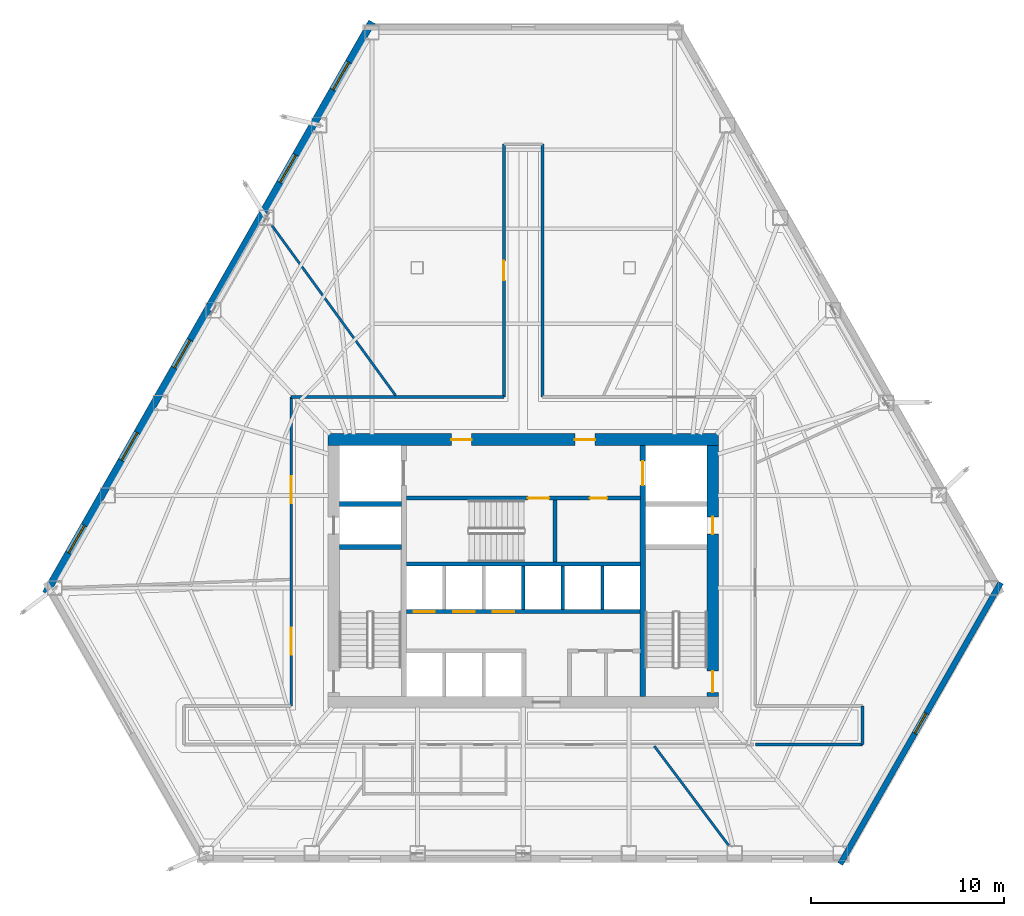
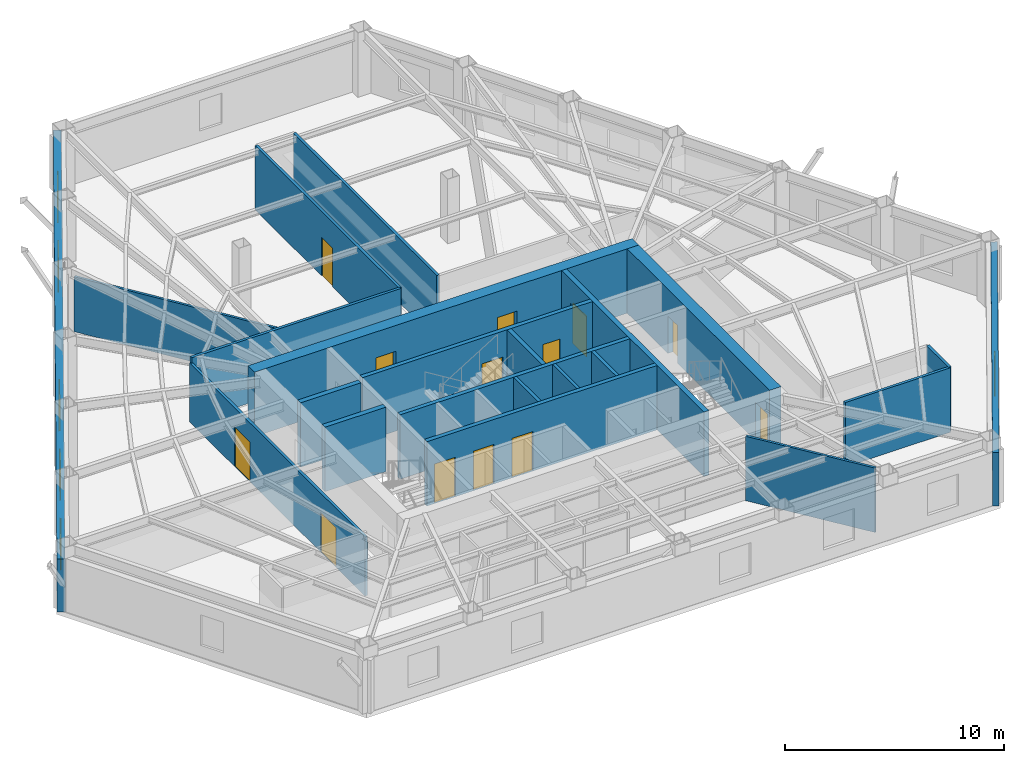
# One storey, part 9 of 12: 22 walls, 13 doors, 6 windows, 19 openings.
"""IFC4 building model written with IfcOpenShell, lengths in metres."""

from ifc_helpers import new_model, si_unit, direction, frame, frame_2d, origin, place, context, subcontext, project, spatial, rectangle, extrude, material, layer, layer_set, type_object, element, fill, save


model = new_model("IFC4")

# Units and contexts
model_context = context("Model", 3, precision=1e-05, world=origin(), true_north=direction((0.0, 1.0)))
body_context = subcontext(model_context, "Body", "Model", "MODEL_VIEW")
ifc_project = project(units=[si_unit("LENGTHUNIT", "METRE"), si_unit("AREAUNIT", "SQUARE_METRE"), si_unit("VOLUMEUNIT", "CUBIC_METRE"), si_unit("PLANEANGLEUNIT", "RADIAN"), si_unit("MASSUNIT", "GRAM", prefix="KILO")], contexts=[model_context])

# Site, building, storey
site_placement = place(None, origin())
site = spatial("IfcSite", under=ifc_project, at=site_placement, CompositionType="ELEMENT")
building_placement = place(site_placement, origin())
building = spatial("IfcBuilding", under=site, at=building_placement, Name="Kavelnor Concourse Tower", CompositionType="ELEMENT")
storey_placement = place(building_placement, frame((0.0, 0.0, 29.10009765625)))
storey = spatial("IfcBuildingStorey", under=building, at=storey_placement, Name="L07", CompositionType="ELEMENT", Elevation=29.10009765625)

# Wall, openings, doors
ifc_material_1 = material(Name="Concrete C60/75", Category="concrete")
ifc_layer_1 = layer(ifc_material_1, 0.60009765625, Name="Concrete C60/75")
ifc_layer_set_1 = layer_set([ifc_layer_1], Name="Concrete C60/75")
wall_type_1 = type_object("IfcWallType", Name="WL-CORE-Z1-600", PredefinedType="SOLIDWALL", material=ifc_layer_set_1)
wall_1_placement = place(storey_placement, frame((27.8798828125, 22.89990234375, 0.0), z_axis=(0.0, 0.0, 1.0), x_axis=(1.0, 0.0, 0.0)))
wall_1 = element("IfcWall", 1, at=wall_1_placement, inside=storey, type_object=wall_type_1, Name="L07 Central Core North Shear Wall", PredefinedType="SOLIDWALL", context=body_context, shape_type="SweptSolid", body=[
    extrude(rectangle(XDim=20.240234375, YDim=0.60009765625, at=frame_2d((10.1201171875, 0.0))), origin(), (0.0, 0.0, 1.0), 3.58984375),
])
opening_1_placement = place(wall_1_placement, frame((6.39501953125, 0.0, 0.0)))
opening_1 = element("IfcOpeningElement", 2, at=opening_1_placement, cuts=wall_1, Name="Opening FD-105", PredefinedType="OPENING", context=body_context, shape_type="SweptSolid", body=[
    extrude(rectangle(XDim=1.050048828125, YDim=2.14990234375, at=frame_2d((0.52490234375, 1.074951171875))), frame((0.0, 0.31005859375, 0.0), z_axis=(0.0, -1.0, 0.0), x_axis=(1.0, 0.0, 0.0)), (0.0, 0.0, 1.0), 0.6201171875),
])
opening_2_placement = place(wall_1_placement, frame((12.794921875, 0.0, 0.0)))
opening_2 = element("IfcOpeningElement", 3, at=opening_2_placement, cuts=wall_1, Name="Opening FD-105", PredefinedType="OPENING", context=body_context, shape_type="SweptSolid", body=[
    extrude(rectangle(XDim=1.050048828125, YDim=2.14990234375, at=frame_2d((0.52490234375, 1.074951171875))), frame((0.0, 0.31005859375, 0.0), z_axis=(0.0, -1.0, 0.0), x_axis=(1.0, 0.0, 0.0)), (0.0, 0.0, 1.0), 0.6201171875),
])
ifc_material_2 = material(Name="Steel Grade 350", Category="steel")
door_type_1 = type_object("IfcDoorType", Name="DR-LOBBY-FIRE-1050", OperationType="NOTDEFINED", PredefinedType="DOOR", material=ifc_material_2)
door_1_placement = place(opening_1_placement, origin())
door_1 = element("IfcDoor", 4, at=door_1_placement, inside=storey, type_object=door_type_1, Name="L07 Emergency Lift Lobby West Door", OperationType="SINGLE_SWING_LEFT", OverallHeight=2.14990234375, OverallWidth=1.050048828125, PredefinedType="DOOR", context=body_context, shape_type="SweptSolid", body=[
    extrude(rectangle(XDim=1.050048828125, YDim=2.14990234375, at=frame_2d((0.52490234375, 1.074951171875))), frame((0.0, 0.02490234375, 0.0), z_axis=(0.0, -1.0, 0.0), x_axis=(1.0, 0.0, 0.0)), (0.0, 0.0, 1.0), 0.050048828125),
])
fill(opening_1, door_1)
door_2_placement = place(opening_2_placement, origin())
door_2 = element("IfcDoor", 5, at=door_2_placement, inside=storey, type_object=door_type_1, Name="L07 Emergency Lift Lobby East Door", OperationType="SINGLE_SWING_RIGHT", OverallHeight=2.14990234375, OverallWidth=1.050048828125, PredefinedType="DOOR", context=body_context, shape_type="SweptSolid", body=[
    extrude(rectangle(XDim=1.050048828125, YDim=2.14990234375, at=frame_2d((0.52490234375, 1.074951171875))), frame((0.0, 0.02490234375, 0.0), z_axis=(0.0, -1.0, 0.0), x_axis=(1.0, 0.0, 0.0)), (0.0, 0.0, 1.0), 0.050048828125),
])
fill(opening_2, door_2)

wall_2_placement = place(storey_placement, frame((47.820068359375, 9.60009765625, 0.0), z_axis=(0.0, 0.0, 1.0), x_axis=(0.0, 1.0, 0.0)))
wall_2 = element("IfcWall", 6, at=wall_2_placement, inside=storey, type_object=wall_type_1, Name="L07 Central Core East Shear Wall", PredefinedType="SOLIDWALL", context=body_context, shape_type="SweptSolid", body=[
    extrude(rectangle(XDim=13.0, YDim=0.60009765625, at=frame_2d((6.5, 0.0))), origin(), (0.0, 0.0, 1.0), 3.58984375),
])
opening_3_placement = place(wall_2_placement, frame((0.199951171875, 0.0, 0.0)))
opening_3 = element("IfcOpeningElement", 7, at=opening_3_placement, cuts=wall_2, Name="Opening FD-110", PredefinedType="OPENING", context=body_context, shape_type="SweptSolid", body=[
    extrude(rectangle(XDim=1.10009765625, YDim=2.14990234375, at=frame_2d((0.550048828125, 1.074951171875))), frame((0.0, 0.31005859375, 0.0), z_axis=(0.0, -1.0, 0.0), x_axis=(1.0, 0.0, 0.0)), (0.0, 0.0, 1.0), 0.6201171875),
])
opening_4_placement = place(wall_2_placement, frame((8.39990234375, 0.0, 0.0)))
opening_4 = element("IfcOpeningElement", 8, at=opening_4_placement, cuts=wall_2, Name="Opening FD-090", PredefinedType="OPENING", context=body_context, shape_type="SweptSolid", body=[
    extrude(rectangle(XDim=0.89990234375, YDim=2.10009765625, at=frame_2d((0.449951171875, 1.050048828125))), frame((0.0, 0.31005859375, 0.0), z_axis=(0.0, -1.0, 0.0), x_axis=(1.0, 0.0, 0.0)), (0.0, 0.0, 1.0), 0.6201171875),
])
door_type_2 = type_object("IfcDoorType", Name="DR-RISER-FIRE-900", OperationType="NOTDEFINED", PredefinedType="DOOR", material=ifc_material_2)
door_3_placement = place(opening_4_placement, origin())
door_3 = element("IfcDoor", 9, at=door_3_placement, inside=storey, type_object=door_type_2, Name="L07 East Riser Access Door", OperationType="SINGLE_SWING_LEFT", OverallHeight=2.10009765625, OverallWidth=0.89990234375, PredefinedType="DOOR", context=body_context, shape_type="SweptSolid", body=[
    extrude(rectangle(XDim=0.89990234375, YDim=2.10009765625, at=frame_2d((0.449951171875, 1.050048828125))), frame((0.0, 0.02490234375, 0.0), z_axis=(0.0, -1.0, 0.0), x_axis=(1.0, 0.0, 0.0)), (0.0, 0.0, 1.0), 0.050048828125),
])
fill(opening_4, door_3)
door_type_3 = type_object("IfcDoorType", Name="DR-STAIR-FIRE-1100", OperationType="NOTDEFINED", PredefinedType="DOOR", material=ifc_material_2)
door_4_placement = place(opening_3_placement, origin())
door_4 = element("IfcDoor", 10, at=door_4_placement, inside=storey, type_object=door_type_3, Name="L07 Stair ST2 Fire Door", OperationType="SINGLE_SWING_RIGHT", OverallHeight=2.14990234375, OverallWidth=1.10009765625, PredefinedType="DOOR", context=body_context, shape_type="SweptSolid", body=[
    extrude(rectangle(XDim=1.10009765625, YDim=2.14990234375, at=frame_2d((0.550048828125, 1.074951171875))), frame((0.0, 0.02490234375, 0.0), z_axis=(0.0, -1.0, 0.0), x_axis=(1.0, 0.0, 0.0)), (0.0, 0.0, 1.0), 0.050048828125),
])
fill(opening_3, door_4)

# Wall, opening, window
ifc_material_3 = material(Name="Buff ironspot clay face brick masonry", Category="masonry")
ifc_layer_2 = layer(ifc_material_3, 0.300048828125, Name="Buff ironspot clay face brick masonry")
ifc_layer_set_2 = layer_set([ifc_layer_2], Name="Buff ironspot clay face brick masonry")
wall_type_2 = type_object("IfcWallType", Name="WL-EXT-BUFF-BRICK-FOLD-300", PredefinedType="STANDARD", material=ifc_layer_set_2)
wall_3_placement = place(storey_placement, frame((62.73681640625, 15.48388671875, 0.0), z_axis=(0.0, 0.0, 1.0), x_axis=(-0.495706340457, -0.868490198005, 0.0)))
wall_3 = element("IfcWall", 11, at=wall_3_placement, inside=storey, type_object=wall_type_2, Name="L07 Exterior Brick Facade Wall E4", PredefinedType="STANDARD", context=body_context, shape_type="SweptSolid", body=[
    extrude(rectangle(XDim=16.77685546875, YDim=0.300048828125, at=frame_2d((8.388427734375, 0.0))), origin(), (0.0, 0.0, 1.0), 2.969970703125),
])
opening_5_placement = place(wall_3_placement, frame((7.78857421875, 0.0, 0.64990234375)))
opening_5 = element("IfcOpeningElement", 12, at=opening_5_placement, cuts=wall_3, Name="Opening W-05", PredefinedType="OPENING", context=body_context, shape_type="SweptSolid", body=[
    extrude(rectangle(XDim=1.199951171875, YDim=1.699951171875, at=frame_2d((0.60009765625, 0.85009765625))), frame((0.0, 0.16015625, 0.0), z_axis=(0.0, -1.0, 0.0), x_axis=(1.0, 0.0, 0.0)), (0.0, 0.0, 1.0), 0.320068359375),
])
ifc_material_4 = material(Name="Double low-E argon insulated glazing", Category="glass")
window_type_1 = type_object("IfcWindowType", Name="WIN-FOLD-1200", PartitioningType="SINGLE_PANEL", PredefinedType="WINDOW", material=ifc_material_4)
window_1_placement = place(opening_5_placement, origin())
window_1 = element("IfcWindow", 13, at=window_1_placement, inside=storey, type_object=window_type_1, Name="L07 Chamfer-Fold Facet Window C2", OverallHeight=1.699951171875, OverallWidth=1.199951171875, PartitioningType="SINGLE_PANEL", PredefinedType="WINDOW", context=body_context, shape_type="SweptSolid", body=[
    extrude(rectangle(XDim=1.199951171875, YDim=1.699951171875, at=frame_2d((0.60009765625, 0.85009765625))), frame((0.0, 0.030029296875, 0.0), z_axis=(0.0, -1.0, 0.0), x_axis=(1.0, 0.0, 0.0)), (0.0, 0.0, 1.0), 0.06005859375),
])
fill(opening_5, window_1)

# Wall, openings, windows
ifc_material_5 = material(Name="Red-ochre clay face brick masonry", Category="masonry")
ifc_layer_3 = layer(ifc_material_5, 0.3798828125, Name="Red-ochre clay face brick masonry")
ifc_layer_set_3 = layer_set([ifc_layer_3], Name="Red-ochre clay face brick masonry")
wall_type_3 = type_object("IfcWallType", Name="WL-EXT-RED-BRICK-PIER-380", PredefinedType="STANDARD", material=ifc_layer_set_3)
wall_4_placement = place(storey_placement, frame((13.26318359375, 14.928466796875, 0.0), z_axis=(0.0, 0.0, 1.0), x_axis=(0.495711630902, 0.868487178367, 0.0)))
wall_4 = element("IfcWall", 14, at=wall_4_placement, inside=storey, type_object=wall_type_3, Name="L07 Exterior Brick Facade Wall E1", PredefinedType="STANDARD", context=body_context, shape_type="SweptSolid", body=[
    extrude(rectangle(XDim=34.09228515625, YDim=0.3798828125, at=frame_2d((17.046142578125, 0.0))), origin(), (0.0, 0.0, 1.0), 2.969970703125),
])
opening_6_placement = place(wall_4_placement, frame((30.02685546875, 0.0, 0.64990234375)))
opening_6 = element("IfcOpeningElement", 15, at=opening_6_placement, cuts=wall_4, Name="Opening W-01", PredefinedType="OPENING", context=body_context, shape_type="SweptSolid", body=[
    extrude(rectangle(XDim=1.64990234375, YDim=1.75, at=frame_2d((0.824951171875, 0.875))), frame((0.0, 0.199951171875, 0.0), z_axis=(0.0, -1.0, 0.0), x_axis=(1.0, 0.0, 0.0)), (0.0, 0.0, 1.0), 0.39990234375),
])
opening_7_placement = place(wall_4_placement, frame((24.503662109375, 0.0, 0.64990234375)))
opening_7 = element("IfcOpeningElement", 16, at=opening_7_placement, cuts=wall_4, Name="Opening W-01", PredefinedType="OPENING", context=body_context, shape_type="SweptSolid", body=[
    extrude(rectangle(XDim=1.64990234375, YDim=1.75, at=frame_2d((0.824951171875, 0.875))), frame((0.0, 0.199951171875, 0.0), z_axis=(0.0, -1.0, 0.0), x_axis=(1.0, 0.0, 0.0)), (0.0, 0.0, 1.0), 0.39990234375),
])
opening_8_placement = place(wall_4_placement, frame((13.45703125, 0.0, 0.64990234375)))
opening_8 = element("IfcOpeningElement", 17, at=opening_8_placement, cuts=wall_4, Name="Opening W-01", PredefinedType="OPENING", context=body_context, shape_type="SweptSolid", body=[
    extrude(rectangle(XDim=1.64990234375, YDim=1.75, at=frame_2d((0.824951171875, 0.875))), frame((0.0, 0.199951171875, 0.0), z_axis=(0.0, -1.0, 0.0), x_axis=(1.0, 0.0, 0.0)), (0.0, 0.0, 1.0), 0.39990234375),
])
opening_9_placement = place(wall_4_placement, frame((7.933837890625, 0.0, 0.64990234375)))
opening_9 = element("IfcOpeningElement", 18, at=opening_9_placement, cuts=wall_4, Name="Opening W-01", PredefinedType="OPENING", context=body_context, shape_type="SweptSolid", body=[
    extrude(rectangle(XDim=1.64990234375, YDim=1.75, at=frame_2d((0.824951171875, 0.875))), frame((0.0, 0.199951171875, 0.0), z_axis=(0.0, -1.0, 0.0), x_axis=(1.0, 0.0, 0.0)), (0.0, 0.0, 1.0), 0.39990234375),
])
opening_10_placement = place(wall_4_placement, frame((2.41064453125, 0.0, 0.64990234375)))
opening_10 = element("IfcOpeningElement", 19, at=opening_10_placement, cuts=wall_4, Name="Opening W-01", PredefinedType="OPENING", context=body_context, shape_type="SweptSolid", body=[
    extrude(rectangle(XDim=1.64990234375, YDim=1.75, at=frame_2d((0.824951171875, 0.875))), frame((0.0, 0.199951171875, 0.0), z_axis=(0.0, -1.0, 0.0), x_axis=(1.0, 0.0, 0.0)), (0.0, 0.0, 1.0), 0.39990234375),
])
window_type_2 = type_object("IfcWindowType", Name="WIN-PIER-Z1-1800", PartitioningType="SINGLE_PANEL", PredefinedType="WINDOW", material=ifc_material_4)
window_2_placement = place(opening_6_placement, origin())
window_2 = element("IfcWindow", 20, at=window_2_placement, inside=storey, type_object=window_type_2, Name="L07 Deep-Set Brick Pier Window F0-B0", OverallHeight=1.75, OverallWidth=1.64990234375, PartitioningType="SINGLE_PANEL", PredefinedType="WINDOW", context=body_context, shape_type="SweptSolid", body=[
    extrude(rectangle(XDim=1.64990234375, YDim=1.75, at=frame_2d((0.824951171875, 0.875))), frame((0.0, 0.030029296875, 0.0), z_axis=(0.0, -1.0, 0.0), x_axis=(1.0, 0.0, 0.0)), (0.0, 0.0, 1.0), 0.06005859375),
])
fill(opening_6, window_2)
window_3_placement = place(opening_7_placement, origin())
window_3 = element("IfcWindow", 21, at=window_3_placement, inside=storey, type_object=window_type_2, Name="L07 Deep-Set Brick Pier Window F0-B1", OverallHeight=1.75, OverallWidth=1.64990234375, PartitioningType="SINGLE_PANEL", PredefinedType="WINDOW", context=body_context, shape_type="SweptSolid", body=[
    extrude(rectangle(XDim=1.64990234375, YDim=1.75, at=frame_2d((0.824951171875, 0.875))), frame((0.0, 0.030029296875, 0.0), z_axis=(0.0, -1.0, 0.0), x_axis=(1.0, 0.0, 0.0)), (0.0, 0.0, 1.0), 0.06005859375),
])
fill(opening_7, window_3)
window_4_placement = place(opening_8_placement, origin())
window_4 = element("IfcWindow", 22, at=window_4_placement, inside=storey, type_object=window_type_2, Name="L07 Deep-Set Brick Pier Window F0-B3", OverallHeight=1.75, OverallWidth=1.64990234375, PartitioningType="SINGLE_PANEL", PredefinedType="WINDOW", context=body_context, shape_type="SweptSolid", body=[
    extrude(rectangle(XDim=1.64990234375, YDim=1.75, at=frame_2d((0.824951171875, 0.875))), frame((0.0, 0.030029296875, 0.0), z_axis=(0.0, -1.0, 0.0), x_axis=(1.0, 0.0, 0.0)), (0.0, 0.0, 1.0), 0.06005859375),
])
fill(opening_8, window_4)
window_5_placement = place(opening_9_placement, origin())
window_5 = element("IfcWindow", 23, at=window_5_placement, inside=storey, type_object=window_type_2, Name="L07 Deep-Set Brick Pier Window F0-B4", OverallHeight=1.75, OverallWidth=1.64990234375, PartitioningType="SINGLE_PANEL", PredefinedType="WINDOW", context=body_context, shape_type="SweptSolid", body=[
    extrude(rectangle(XDim=1.64990234375, YDim=1.75, at=frame_2d((0.824951171875, 0.875))), frame((0.0, 0.030029296875, 0.0), z_axis=(0.0, -1.0, 0.0), x_axis=(1.0, 0.0, 0.0)), (0.0, 0.0, 1.0), 0.06005859375),
])
fill(opening_9, window_5)
window_6_placement = place(opening_10_placement, origin())
window_6 = element("IfcWindow", 24, at=window_6_placement, inside=storey, type_object=window_type_2, Name="L07 Deep-Set Brick Pier Window F0-B5", OverallHeight=1.75, OverallWidth=1.64990234375, PartitioningType="SINGLE_PANEL", PredefinedType="WINDOW", context=body_context, shape_type="SweptSolid", body=[
    extrude(rectangle(XDim=1.64990234375, YDim=1.75, at=frame_2d((0.824951171875, 0.875))), frame((0.0, 0.030029296875, 0.0), z_axis=(0.0, -1.0, 0.0), x_axis=(1.0, 0.0, 0.0)), (0.0, 0.0, 1.0), 0.06005859375),
])
fill(opening_10, window_6)

# Wall, openings, doors
ifc_material_6 = material(Name="Gypsum plasterboard on light-gauge steel studs", Category="steel")
ifc_layer_4 = layer(ifc_material_6, 0.14501953125, Name="Gypsum plasterboard on light-gauge steel studs")
ifc_layer_set_4 = layer_set([ifc_layer_4], Name="Gypsum plasterboard on light-gauge steel studs")
wall_type_4 = type_object("IfcWallType", Name="WL-INT-CORR-145", PredefinedType="PARTITIONING", material=ifc_layer_set_4)
wall_5_placement = place(storey_placement, frame((25.97998046875, 9.10009765625, 0.0), z_axis=(0.0, 0.0, 1.0), x_axis=(0.0, 1.0, 0.0)))
wall_5 = element("IfcWall", 25, at=wall_5_placement, inside=storey, type_object=wall_type_4, Name="L07 Corridor Wall WL-L07-CR-02", PredefinedType="PARTITIONING", context=body_context, shape_type="SweptSolid", body=[
    extrude(rectangle(XDim=16.0, YDim=0.14501953125, at=frame_2d((8.0, 0.0))), origin(), (0.0, 0.0, 1.0), 3.27783203125),
])
opening_11_placement = place(wall_5_placement, frame((10.491455078125, 0.0, 0.0)))
opening_11 = element("IfcOpeningElement", 26, at=opening_11_placement, cuts=wall_5, Name="Opening SD-140", PredefinedType="OPENING", context=body_context, shape_type="SweptSolid", body=[
    extrude(rectangle(XDim=1.39990234375, YDim=2.199951171875, at=frame_2d((0.699951171875, 1.10009765625))), frame((0.0, 0.08251953125, 0.0), z_axis=(0.0, -1.0, 0.0), x_axis=(1.0, 0.0, 0.0)), (0.0, 0.0, 1.0), 0.1650390625),
])
opening_12_placement = place(wall_5_placement, frame((2.66259765625, 0.0, 0.0)))
opening_12 = element("IfcOpeningElement", 27, at=opening_12_placement, cuts=wall_5, Name="Opening SD-140", PredefinedType="OPENING", context=body_context, shape_type="SweptSolid", body=[
    extrude(rectangle(XDim=1.39990234375, YDim=2.199951171875, at=frame_2d((0.699951171875, 1.10009765625))), frame((0.0, 0.08251953125, 0.0), z_axis=(0.0, -1.0, 0.0), x_axis=(1.0, 0.0, 0.0)), (0.0, 0.0, 1.0), 0.1650390625),
])
ifc_material_7 = material(Name="Solid-core hardwood timber", Category="wood")
door_type_4 = type_object("IfcDoorType", Name="DR-SUITE-ENTRY-1400", OperationType="NOTDEFINED", PredefinedType="DOOR", material=ifc_material_7)
door_5_placement = place(opening_11_placement, origin())
door_5 = element("IfcDoor", 28, at=door_5_placement, inside=storey, type_object=door_type_4, Name="L07 Staff Breakout Pantry 03 Door", OperationType="SINGLE_SWING_LEFT", OverallHeight=2.199951171875, OverallWidth=1.39990234375, PredefinedType="DOOR", context=body_context, shape_type="SweptSolid", body=[
    extrude(rectangle(XDim=1.39990234375, YDim=2.199951171875, at=frame_2d((0.699951171875, 1.10009765625))), frame((0.0, 0.02490234375, 0.0), z_axis=(0.0, -1.0, 0.0), x_axis=(1.0, 0.0, 0.0)), (0.0, 0.0, 1.0), 0.050048828125),
])
fill(opening_11, door_5)
door_6_placement = place(opening_12_placement, origin())
door_6 = element("IfcDoor", 29, at=door_6_placement, inside=storey, type_object=door_type_4, Name="L07 Workplace Open Office 04 Door", OperationType="SINGLE_SWING_RIGHT", OverallHeight=2.199951171875, OverallWidth=1.39990234375, PredefinedType="DOOR", context=body_context, shape_type="SweptSolid", body=[
    extrude(rectangle(XDim=1.39990234375, YDim=2.199951171875, at=frame_2d((0.699951171875, 1.10009765625))), frame((0.0, 0.02490234375, 0.0), z_axis=(0.0, -1.0, 0.0), x_axis=(1.0, 0.0, 0.0)), (0.0, 0.0, 1.0), 0.050048828125),
])
fill(opening_12, door_6)

# Wall
wall_6_placement = place(storey_placement, frame((25.97998046875, 25.10009765625, 0.0), z_axis=(0.0, 0.0, 1.0), x_axis=(1.0, 0.0, 0.0)))
element("IfcWall", 30, at=wall_6_placement, inside=storey, type_object=wall_type_4, Name="L07 Corridor Wall WL-L07-CR-03", PredefinedType="PARTITIONING", context=body_context, shape_type="SweptSolid", body=[
    extrude(rectangle(XDim=11.02001953125, YDim=0.14501953125, at=frame_2d((5.510009765625, 0.0))), origin(), (0.0, 0.0, 1.0), 3.58984375),
])

# Wall, opening, door
wall_7_placement = place(storey_placement, frame((37.0, 25.10009765625, 0.0), z_axis=(0.0, 0.0, 1.0), x_axis=(0.0, 1.0, 0.0)))
wall_7 = element("IfcWall", 31, at=wall_7_placement, inside=storey, type_object=wall_type_4, Name="L07 Corridor Wall WL-L07-CR-04", PredefinedType="PARTITIONING", context=body_context, shape_type="SweptSolid", body=[
    extrude(rectangle(XDim=13.099853515625, YDim=0.14501953125, at=frame_2d((6.5498046875, 0.0))), origin(), (0.0, 0.0, 1.0), 3.58984375),
])
opening_13_placement = place(wall_7_placement, frame((6.0400390625, 0.0, 0.0)))
opening_13 = element("IfcOpeningElement", 32, at=opening_13_placement, cuts=wall_7, Name="Opening MD-102", PredefinedType="OPENING", context=body_context, shape_type="SweptSolid", body=[
    extrude(rectangle(XDim=1.02001953125, YDim=2.14990234375, at=frame_2d((0.510009765625, 1.074951171875))), frame((0.0, 0.08251953125, 0.0), z_axis=(0.0, -1.0, 0.0), x_axis=(1.0, 0.0, 0.0)), (0.0, 0.0, 1.0), 0.1650390625),
])
ifc_material_8 = material(Name="Acoustic glazed timber frame", Category="wood")
door_type_5 = type_object("IfcDoorType", Name="DR-MEETING-1020", OperationType="NOTDEFINED", PredefinedType="DOOR", material=ifc_material_8)
door_7_placement = place(opening_13_placement, origin())
door_7 = element("IfcDoor", 33, at=door_7_placement, inside=storey, type_object=door_type_5, Name="L07 Client Boardroom 02 Door", OperationType="SINGLE_SWING_RIGHT", OverallHeight=2.14990234375, OverallWidth=1.02001953125, PredefinedType="DOOR", context=body_context, shape_type="SweptSolid", body=[
    extrude(rectangle(XDim=1.02001953125, YDim=2.14990234375, at=frame_2d((0.510009765625, 1.074951171875))), frame((0.0, 0.02490234375, 0.0), z_axis=(0.0, -1.0, 0.0), x_axis=(1.0, 0.0, 0.0)), (0.0, 0.0, 1.0), 0.050048828125),
])
fill(opening_13, door_7)

# Walls
wall_8_placement = place(storey_placement, frame((39.0, 38.199951171875, 0.0), z_axis=(0.0, 0.0, 1.0), x_axis=(0.0, -1.0, 0.0)))
element("IfcWall", 34, at=wall_8_placement, inside=storey, type_object=wall_type_4, Name="L07 Corridor Wall WL-L07-CR-06", PredefinedType="PARTITIONING", context=body_context, shape_type="SweptSolid", body=[
    extrude(rectangle(XDim=13.099853515625, YDim=0.14501953125, at=frame_2d((6.5498046875, 0.0))), origin(), (0.0, 0.0, 1.0), 3.58984375),
])
wall_9_placement = place(storey_placement, frame((55.569580078125, 9.10009765625, 0.0), z_axis=(0.0, 0.0, 1.0), x_axis=(0.0, -1.0, 0.0)))
element("IfcWall", 35, at=wall_9_placement, inside=storey, type_object=wall_type_4, Name="L07 Corridor Wall WL-L07-CR-10", PredefinedType="PARTITIONING", context=body_context, shape_type="SweptSolid", body=[
    extrude(rectangle(XDim=2.0, YDim=0.14501953125, at=frame_2d((1.0, 0.0))), origin(), (0.0, 0.0, 1.0), 3.58984375),
])
wall_10_placement = place(storey_placement, frame((55.569580078125, 7.10009765625, 0.0), z_axis=(0.0, 0.0, 1.0), x_axis=(-1.0, 0.0, 0.0)))
element("IfcWall", 36, at=wall_10_placement, inside=storey, type_object=wall_type_4, Name="L07 Corridor Wall WL-L07-CR-11", PredefinedType="PARTITIONING", context=body_context, shape_type="SweptSolid", body=[
    extrude(rectangle(XDim=5.549560546875, YDim=0.14501953125, at=frame_2d((2.77490234375, 0.0))), origin(), (0.0, 0.0, 1.0), 3.58984375),
])
ifc_layer_5 = layer(ifc_material_6, 0.1650390625, Name="Gypsum plasterboard on light-gauge steel studs")
ifc_layer_set_5 = layer_set([ifc_layer_5], Name="Gypsum plasterboard on light-gauge steel studs")
wall_type_5 = type_object("IfcWallType", Name="WL-INT-FIRE-165", PredefinedType="PARTITIONING", material=ifc_layer_set_5)
for number, where, z_axis, x_axis, name in (
    (37, (38.0, 14.10009765625, 0.0), (0.0, 0.0, 1.0), (0.0, 1.0, 0.0), "L07 Lift Shaft Divider LP3"),
    (38, (40.050048828125, 14.10009765625, 0.0), (0.0, 0.0, 1.0), (0.0, 1.0, 0.0), "L07 Lift Shaft Divider LP4"),
    (39, (42.10009765625, 14.10009765625, 0.0), (0.0, 0.0, 1.0), (0.0, 1.0, 0.0), "L07 Lift Shaft Divider LP5"),
):
    element("IfcWall", number, at=place(storey_placement, frame(where, z_axis=z_axis, x_axis=x_axis)), inside=storey, type_object=wall_type_5, Name=name, PredefinedType="PARTITIONING", context=body_context, shape_type="SweptSolid", body=[
        extrude(rectangle(XDim=2.239990234375, YDim=0.1650390625, at=frame_2d((1.1201171875, 0.0))), origin(), (0.0, 0.0, 1.0), 3.58984375),
    ])
ifc_layer_6 = layer(ifc_material_6, 0.125, Name="Gypsum plasterboard on light-gauge steel studs")
ifc_layer_set_6 = layer_set([ifc_layer_6], Name="Gypsum plasterboard on light-gauge steel studs")
wall_type_6 = type_object("IfcWallType", Name="WL-INT-SUITE-125", PredefinedType="PARTITIONING", material=ifc_layer_set_6)
wall_11_placement = place(storey_placement, frame((31.390380859375, 25.180419921875, 0.0), z_axis=(0.0, 0.0, 1.0), x_axis=(-0.588482227792, 0.808510153043, 0.0)))
element("IfcWall", 40, at=wall_11_placement, inside=storey, type_object=wall_type_6, Name="L07 Radial Suite Partition 03", PredefinedType="PARTITIONING", context=body_context, shape_type="SweptSolid", body=[
    extrude(rectangle(XDim=10.890625, YDim=0.125, at=frame_2d((5.4453125, 0.0))), origin(), (0.0, 0.0, 1.0), 3.056884765625),
])
wall_12_placement = place(storey_placement, frame((44.792236328125, 7.01953125, 0.0), z_axis=(0.0, 0.0, 1.0), x_axis=(0.598984945208, -0.800760285863, 0.0)))
element("IfcWall", 41, at=wall_12_placement, inside=storey, type_object=wall_type_6, Name="L07 Radial Suite Partition 06", PredefinedType="PARTITIONING", context=body_context, shape_type="SweptSolid", body=[
    extrude(rectangle(XDim=6.4296875, YDim=0.125, at=frame_2d((3.21484375, 0.0))), origin(), (0.0, 0.0, 1.0), 3.58984375),
])

# Wall, openings, doors
ifc_material_9 = material(Name="Concrete C50/60", Category="concrete")
ifc_layer_7 = layer(ifc_material_9, 0.219970703125, Name="Concrete C50/60")
ifc_layer_set_7 = layer_set([ifc_layer_7], Name="Concrete C50/60")
wall_type_7 = type_object("IfcWallType", Name="WL-SHAFT-220", PredefinedType="SOLIDWALL", material=ifc_layer_set_7)
wall_13_placement = place(storey_placement, frame((31.93994140625, 19.8701171875, 0.0), z_axis=(0.0, 0.0, 1.0), x_axis=(1.0, 0.0, 0.0)))
wall_13 = element("IfcWall", 42, at=wall_13_placement, inside=storey, type_object=wall_type_7, Name="L07 Emergency Lift Lobby South Wall", PredefinedType="SOLIDWALL", context=body_context, shape_type="SweptSolid", body=[
    extrude(rectangle(XDim=12.1201171875, YDim=0.219970703125, at=frame_2d((6.06005859375, 0.0))), origin(), (0.0, 0.0, 1.0), 3.58984375),
])
opening_14_placement = place(wall_13_placement, frame((6.300048828125, 0.0, 0.0)))
opening_14 = element("IfcOpeningElement", 43, at=opening_14_placement, cuts=wall_13, Name="Opening FD-110", PredefinedType="OPENING", context=body_context, shape_type="SweptSolid", body=[
    extrude(rectangle(XDim=1.10009765625, YDim=2.14990234375, at=frame_2d((0.550048828125, 1.074951171875))), frame((0.0, 0.1201171875, 0.0), z_axis=(0.0, -1.0, 0.0), x_axis=(1.0, 0.0, 0.0)), (0.0, 0.0, 1.0), 0.239990234375),
])
opening_15_placement = place(wall_13_placement, frame((9.510009765625, 0.0, 0.0)))
opening_15 = element("IfcOpeningElement", 44, at=opening_15_placement, cuts=wall_13, Name="Opening FD-090", PredefinedType="OPENING", context=body_context, shape_type="SweptSolid", body=[
    extrude(rectangle(XDim=0.89990234375, YDim=2.10009765625, at=frame_2d((0.449951171875, 1.050048828125))), frame((0.0, 0.1201171875, 0.0), z_axis=(0.0, -1.0, 0.0), x_axis=(1.0, 0.0, 0.0)), (0.0, 0.0, 1.0), 0.239990234375),
])
door_8_placement = place(opening_15_placement, origin())
door_8 = element("IfcDoor", 45, at=door_8_placement, inside=storey, type_object=door_type_2, Name="L07 Electrical Comms Door", OperationType="SINGLE_SWING_LEFT", OverallHeight=2.10009765625, OverallWidth=0.89990234375, PredefinedType="DOOR", context=body_context, shape_type="SweptSolid", body=[
    extrude(rectangle(XDim=0.89990234375, YDim=2.10009765625, at=frame_2d((0.449951171875, 1.050048828125))), frame((0.0, 0.02490234375, 0.0), z_axis=(0.0, -1.0, 0.0), x_axis=(1.0, 0.0, 0.0)), (0.0, 0.0, 1.0), 0.050048828125),
])
fill(opening_15, door_8)
door_9_placement = place(opening_14_placement, origin())
door_9 = element("IfcDoor", 46, at=door_9_placement, inside=storey, type_object=door_type_3, Name="L07 Stair ST3 Fire Door", OperationType="SINGLE_SWING_LEFT", OverallHeight=2.14990234375, OverallWidth=1.10009765625, PredefinedType="DOOR", context=body_context, shape_type="SweptSolid", body=[
    extrude(rectangle(XDim=1.10009765625, YDim=2.14990234375, at=frame_2d((0.550048828125, 1.074951171875))), frame((0.0, 0.02490234375, 0.0), z_axis=(0.0, -1.0, 0.0), x_axis=(1.0, 0.0, 0.0)), (0.0, 0.0, 1.0), 0.050048828125),
])
fill(opening_14, door_9)

# Walls
wall_14_placement = place(storey_placement, frame((31.93994140625, 16.449951171875, 0.0), z_axis=(0.0, 0.0, 1.0), x_axis=(1.0, 0.0, 0.0)))
element("IfcWall", 47, at=wall_14_placement, inside=storey, type_object=wall_type_7, Name="L07 Stair ST3 South Core Wall", PredefinedType="SOLIDWALL", context=body_context, shape_type="SweptSolid", body=[
    extrude(rectangle(XDim=12.1201171875, YDim=0.219970703125, at=frame_2d((6.06005859375, 0.0))), origin(), (0.0, 0.0, 1.0), 3.58984375),
])
wall_15_placement = place(storey_placement, frame((39.64990234375, 16.56005859375, 0.0), z_axis=(0.0, 0.0, 1.0), x_axis=(0.0, 1.0, 0.0)))
element("IfcWall", 48, at=wall_15_placement, inside=storey, type_object=wall_type_7, Name="L07 Stair ST3 East Core Wall", PredefinedType="SOLIDWALL", context=body_context, shape_type="SweptSolid", body=[
    extrude(rectangle(XDim=3.199951171875, YDim=0.219970703125, at=frame_2d((1.60009765625, 0.0))), origin(), (0.0, 0.0, 1.0), 3.58984375),
])

# Wall, openings, doors
wall_16_placement = place(storey_placement, frame((31.93994140625, 13.989990234375, 0.0), z_axis=(0.0, 0.0, 1.0), x_axis=(1.0, 0.0, 0.0)))
wall_16 = element("IfcWall", 49, at=wall_16_placement, inside=storey, type_object=wall_type_7, Name="L07 North Lift Row Shaft Wall", PredefinedType="SOLIDWALL", context=body_context, shape_type="SweptSolid", body=[
    extrude(rectangle(XDim=12.1201171875, YDim=0.219970703125, at=frame_2d((6.06005859375, 0.0))), origin(), (0.0, 0.0, 1.0), 3.58984375),
])
opening_16_placement = place(wall_16_placement, frame((0.385009765625, 0.0, 0.0)))
opening_16 = element("IfcOpeningElement", 50, at=opening_16_placement, cuts=wall_16, Name="Opening LD-110", PredefinedType="OPENING", context=body_context, shape_type="SweptSolid", body=[
    extrude(rectangle(XDim=1.10009765625, YDim=2.199951171875, at=frame_2d((0.550048828125, 1.10009765625))), frame((0.0, 0.1201171875, 0.0), z_axis=(0.0, -1.0, 0.0), x_axis=(1.0, 0.0, 0.0)), (0.0, 0.0, 1.0), 0.239990234375),
])
opening_17_placement = place(wall_16_placement, frame((2.43505859375, 0.0, 0.0)))
opening_17 = element("IfcOpeningElement", 51, at=opening_17_placement, cuts=wall_16, Name="Opening LD-110", PredefinedType="OPENING", context=body_context, shape_type="SweptSolid", body=[
    extrude(rectangle(XDim=1.10009765625, YDim=2.199951171875, at=frame_2d((0.550048828125, 1.10009765625))), frame((0.0, 0.1201171875, 0.0), z_axis=(0.0, -1.0, 0.0), x_axis=(1.0, 0.0, 0.0)), (0.0, 0.0, 1.0), 0.239990234375),
])
opening_18_placement = place(wall_16_placement, frame((4.485107421875, 0.0, 0.0)))
opening_18 = element("IfcOpeningElement", 52, at=opening_18_placement, cuts=wall_16, Name="Opening LD-110", PredefinedType="OPENING", context=body_context, shape_type="SweptSolid", body=[
    extrude(rectangle(XDim=1.10009765625, YDim=2.199951171875, at=frame_2d((0.550048828125, 1.10009765625))), frame((0.0, 0.1201171875, 0.0), z_axis=(0.0, -1.0, 0.0), x_axis=(1.0, 0.0, 0.0)), (0.0, 0.0, 1.0), 0.239990234375),
])
door_type_6 = type_object("IfcDoorType", Name="DR-LIFT-SLIDING-1100", OperationType="NOTDEFINED", PredefinedType="DOOR", material=ifc_material_2)
door_10_placement = place(opening_16_placement, origin())
door_10 = element("IfcDoor", 53, at=door_10_placement, inside=storey, type_object=door_type_6, Name="L07 Lift LP1 Landing Door", OperationType="DOUBLE_DOOR_SLIDING", OverallHeight=2.199951171875, OverallWidth=1.10009765625, PredefinedType="DOOR", context=body_context, shape_type="SweptSolid", body=[
    extrude(rectangle(XDim=1.10009765625, YDim=2.199951171875, at=frame_2d((0.550048828125, 1.10009765625))), frame((0.0, 0.02490234375, 0.0), z_axis=(0.0, -1.0, 0.0), x_axis=(1.0, 0.0, 0.0)), (0.0, 0.0, 1.0), 0.050048828125),
])
fill(opening_16, door_10)
door_11_placement = place(opening_17_placement, origin())
door_11 = element("IfcDoor", 54, at=door_11_placement, inside=storey, type_object=door_type_6, Name="L07 Lift LP2 Landing Door", OperationType="DOUBLE_DOOR_SLIDING", OverallHeight=2.199951171875, OverallWidth=1.10009765625, PredefinedType="DOOR", context=body_context, shape_type="SweptSolid", body=[
    extrude(rectangle(XDim=1.10009765625, YDim=2.199951171875, at=frame_2d((0.550048828125, 1.10009765625))), frame((0.0, 0.02490234375, 0.0), z_axis=(0.0, -1.0, 0.0), x_axis=(1.0, 0.0, 0.0)), (0.0, 0.0, 1.0), 0.050048828125),
])
fill(opening_17, door_11)
door_12_placement = place(opening_18_placement, origin())
door_12 = element("IfcDoor", 55, at=door_12_placement, inside=storey, type_object=door_type_6, Name="L07 Lift LP3 Landing Door", OperationType="DOUBLE_DOOR_SLIDING", OverallHeight=2.199951171875, OverallWidth=1.10009765625, PredefinedType="DOOR", context=body_context, shape_type="SweptSolid", body=[
    extrude(rectangle(XDim=1.10009765625, YDim=2.199951171875, at=frame_2d((0.550048828125, 1.10009765625))), frame((0.0, 0.02490234375, 0.0), z_axis=(0.0, -1.0, 0.0), x_axis=(1.0, 0.0, 0.0)), (0.0, 0.0, 1.0), 0.050048828125),
])
fill(opening_18, door_12)

# Wall, opening, door
ifc_layer_8 = layer(ifc_material_9, 0.260009765625, Name="Concrete C50/60")
ifc_layer_set_8 = layer_set([ifc_layer_8], Name="Concrete C50/60")
wall_type_8 = type_object("IfcWallType", Name="WL-SHAFT-260", PredefinedType="SHEAR", material=ifc_layer_set_8)
wall_17_placement = place(storey_placement, frame((44.18994140625, 9.60009765625, 0.0), z_axis=(0.0, 0.0, 1.0), x_axis=(0.0, 1.0, 0.0)))
wall_17 = element("IfcWall", 56, at=wall_17_placement, inside=storey, type_object=wall_type_8, Name="L07 Core East Wing Shear Wall", PredefinedType="SHEAR", context=body_context, shape_type="SweptSolid", body=[
    extrude(rectangle(XDim=13.0, YDim=0.260009765625, at=frame_2d((6.5, 0.0))), origin(), (0.0, 0.0, 1.0), 3.58984375),
])
opening_19_placement = place(wall_17_placement, frame((10.925048828125, 0.0, 0.0)))
opening_19 = element("IfcOpeningElement", 57, at=opening_19_placement, cuts=wall_17, Name="Opening LD-125", PredefinedType="OPENING", context=body_context, shape_type="SweptSolid", body=[
    extrude(rectangle(XDim=1.25, YDim=2.25, at=frame_2d((0.625, 1.125))), frame((0.0, 0.14013671875, 0.0), z_axis=(0.0, -1.0, 0.0), x_axis=(1.0, 0.0, 0.0)), (0.0, 0.0, 1.0), 0.280029296875),
])
door_type_7 = type_object("IfcDoorType", Name="DR-LIFT-SLIDING-1250", OperationType="NOTDEFINED", PredefinedType="DOOR", material=ifc_material_2)
door_13_placement = place(opening_19_placement, origin())
door_13 = element("IfcDoor", 58, at=door_13_placement, inside=storey, type_object=door_type_7, Name="L07 Emergency Lift FL2 Landing Door", OperationType="DOUBLE_DOOR_SLIDING", OverallHeight=2.25, OverallWidth=1.25, PredefinedType="DOOR", context=body_context, shape_type="SweptSolid", body=[
    extrude(rectangle(XDim=1.25, YDim=2.25, at=frame_2d((0.625, 1.125))), frame((0.0, 0.02490234375, 0.0), z_axis=(0.0, -1.0, 0.0), x_axis=(1.0, 0.0, 0.0)), (0.0, 0.0, 1.0), 0.050048828125),
])
fill(opening_19, door_13)

# Walls
for number, where, z_axis, x_axis, name in (
    (59, (28.47998046875, 17.330078125, 0.0), (0.0, 0.0, 1.0), (1.0, 0.0, 0.0), "L07 Stair ST1 North Shaft Wall"),
    (60, (28.47998046875, 19.570068359375, 0.0), (0.0, 0.0, 1.0), (1.0, 0.0, 0.0), "L07 Emergency Lift FL1 South Shaft Wall"),
):
    element("IfcWall", number, at=place(storey_placement, frame(where, z_axis=z_axis, x_axis=x_axis)), inside=storey, type_object=wall_type_8, Name=name, PredefinedType="SHEAR", context=body_context, shape_type="SweptSolid", body=[
        extrude(rectangle(XDim=3.199951171875, YDim=0.260009765625, at=frame_2d((1.60009765625, 0.0))), origin(), (0.0, 0.0, 1.0), 3.58984375),
    ])

save(model, "model.ifc")
